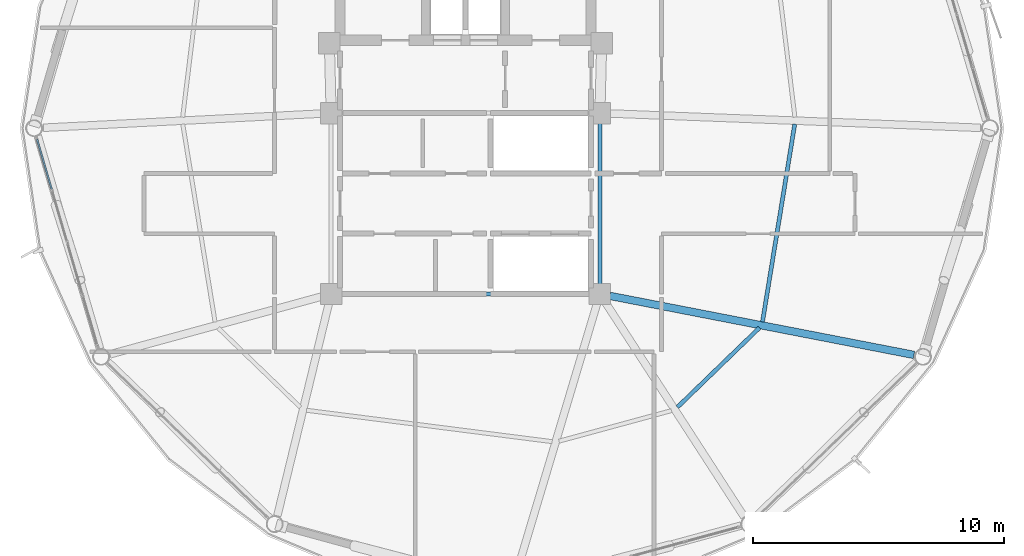
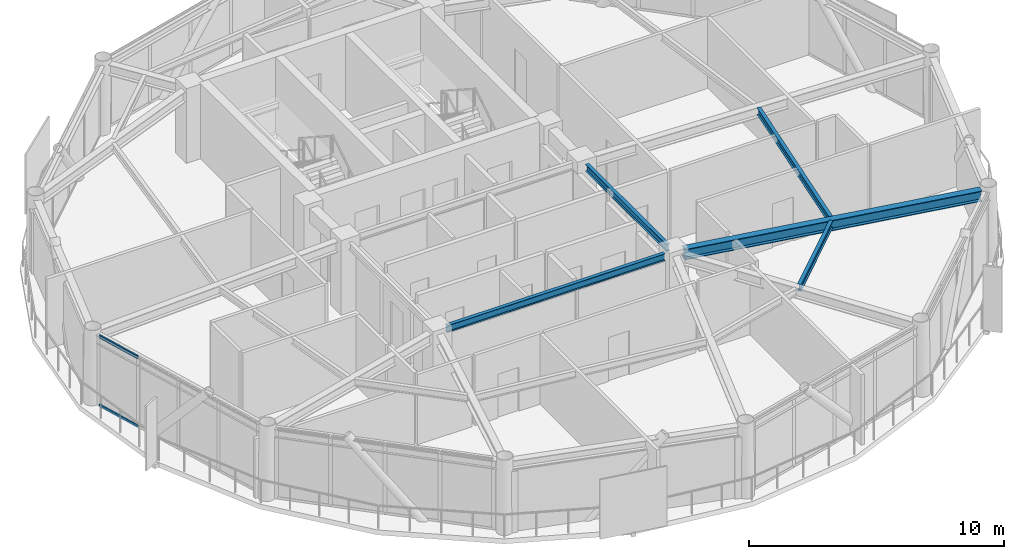
# One storey, part 9 of 26: 5 beams, 2 members, 1 element without a shape of its own.
"""IFC4 building model written with IfcOpenShell, lengths in metres."""

from ifc_helpers import new_model, si_unit, direction, frame, origin, origin_2d, place, context, subcontext, project, spatial, hollow_rectangle, i_section, extrude, material, layer, layer_set, material_profile, profile_set, type_object, element, aggregate, save


model = new_model("IFC4")

# Units and contexts
model_context = context("Model", 3, precision=1e-05, world=origin(), true_north=direction((0.0, 1.0)))
body_context = subcontext(model_context, "Body", "Model", "MODEL_VIEW")
ifc_project = project(units=[si_unit("LENGTHUNIT", "METRE"), si_unit("AREAUNIT", "SQUARE_METRE"), si_unit("VOLUMEUNIT", "CUBIC_METRE"), si_unit("PLANEANGLEUNIT", "RADIAN"), si_unit("MASSUNIT", "GRAM", prefix="KILO")], contexts=[model_context])

# Site, building, storey
site_placement = place(None, origin())
site = spatial("IfcSite", under=ifc_project, at=site_placement, CompositionType="ELEMENT")
building_placement = place(site_placement, origin())
building = spatial("IfcBuilding", under=site, at=building_placement, Name="Varnakorn Sky Granary", CompositionType="ELEMENT")
storey_placement = place(building_placement, frame((0.0, 0.0, 218.39990234375)))
storey = spatial("IfcBuildingStorey", under=building, at=storey_placement, Name="L55", CompositionType="ELEMENT", Elevation=218.39990234375)

# Beams
ifc_material_1 = material(Name="Steel S355JR", Category="steel")
ifc_material_profile_1 = material_profile(ifc_material_1, i_section(OverallWidth=0.300048828125, OverallDepth=0.5, WebThickness=0.014404296875, FlangeThickness=0.028076171875, at=origin_2d()), Name="HE 500 B")
ifc_profile_set_1 = profile_set([ifc_material_profile_1], Name="Steel S355JR")
beam_type_1 = type_object("IfcBeamType", Name="BM-RAD-Z4", PredefinedType="BEAM", material=ifc_profile_set_1)
beam_1_placement = place(storey_placement, frame((8.74755859375, -6.67724609375, 3.110107421875), z_axis=(0.981664203417, -0.190618445405, 0.0), x_axis=(0.190618445405, 0.981664203417, 0.0)))
element("IfcBeam", 1, at=beam_1_placement, inside=storey, type_object=beam_type_1, Name="Radial Floor Girder RG12 L55", PredefinedType="BEAM", context=body_context, shape_type="SweptSolid", body=[
    extrude(i_section(OverallWidth=0.300048828125, OverallDepth=0.5, WebThickness=0.014404296875, FlangeThickness=0.028076171875, at=origin_2d()), origin(), (0.0, 0.0, 1.0), 12.330078125),
])
ifc_material_profile_2 = material_profile(ifc_material_1, i_section(OverallWidth=0.159912109375, OverallDepth=0.330078125, WebThickness=0.007568359375, FlangeThickness=0.011474609375, at=origin_2d()), Name="IPE 330")
ifc_profile_set_2 = profile_set([ifc_material_profile_2], Name="Steel S355JR")
beam_type_2 = type_object("IfcBeamType", Name="BM-SEC-Z4", PredefinedType="BEAM", material=ifc_profile_set_2)
beam_2_placement = place(storey_placement, frame((11.43359375, -11.1103515625, 3.195068359375), z_axis=(0.718536320741, 0.695489436135, 0.0), x_axis=(-0.695489436135, 0.718536320741, 0.0)))
element("IfcBeam", 2, at=beam_2_placement, inside=storey, type_object=beam_type_2, Name="Secondary Floor Chord Beam MSB11 L55", PredefinedType="BEAM", context=body_context, shape_type="SweptSolid", body=[
    extrude(i_section(OverallWidth=0.159912109375, OverallDepth=0.330078125, WebThickness=0.007568359375, FlangeThickness=0.011474609375, at=origin_2d()), origin(), (0.0, 0.0, 1.0), 4.54443359375),
])
beam_3_placement = place(storey_placement, frame((14.822021484375, -7.714111328125, 3.195068359375), z_axis=(0.161048564139, 0.986946482839, 0.0), x_axis=(-0.986946482839, 0.161048564139, 0.0)))
element("IfcBeam", 3, at=beam_3_placement, inside=storey, type_object=beam_type_2, Name="Secondary Floor Chord Beam MSB12 L55", PredefinedType="BEAM", context=body_context, shape_type="SweptSolid", body=[
    extrude(i_section(OverallWidth=0.159912109375, OverallDepth=0.330078125, WebThickness=0.007568359375, FlangeThickness=0.011474609375, at=origin_2d()), origin(), (0.0, 0.0, 1.0), 7.978515625),
])
beam_4_placement = place(storey_placement, frame((8.35009765625, 0.195068359375, 3.195068359375), z_axis=(0.0, -1.0, 0.0), x_axis=(1.0, 0.0, 0.0)))
element("IfcBeam", 4, at=beam_4_placement, inside=storey, type_object=beam_type_2, Name="Core Spine Framing Beam 4 L55", PredefinedType="BEAM", context=body_context, shape_type="SweptSolid", body=[
    extrude(i_section(OverallWidth=0.159912109375, OverallDepth=0.330078125, WebThickness=0.007568359375, FlangeThickness=0.011474609375, at=origin_2d()), origin(), (0.0, 0.0, 1.0), 6.39013671875),
])
beam_5_placement = place(storey_placement, frame((-1.945068359375, -6.60009765625, 3.195068359375), z_axis=(1.0, 0.0, 0.0), x_axis=(0.0, 1.0, 0.0)))
element("IfcBeam", 5, at=beam_5_placement, inside=storey, type_object=beam_type_2, Name="Core Spine Framing Beam 6 L55", PredefinedType="BEAM", context=body_context, shape_type="SweptSolid", body=[
    extrude(i_section(OverallWidth=0.159912109375, OverallDepth=0.330078125, WebThickness=0.007568359375, FlangeThickness=0.011474609375, at=origin_2d()), origin(), (0.0, 0.0, 1.0), 9.89013671875),
])

# Curtain wall, members
ifc_material_2 = material(Name="Anodised Bronze Aluminium Alloy 6063-T6", Category="aluminium")
ifc_layer = layer(ifc_material_2, 0.169921875, Name="Anodised Bronze Aluminium Alloy 6063-T6")
ifc_layer_set = layer_set([ifc_layer], Name="Anodised Bronze Aluminium Alloy 6063-T6")
curtain_wall_type = type_object("IfcCurtainWallType", Name="CW-LAB-1", PredefinedType="USERDEFINED", material=ifc_layer_set)
curtain_wall_placement = place(storey_placement, origin())
curtain_wall = element("IfcCurtainWall", 6, at=curtain_wall_placement, inside=storey, type_object=curtain_wall_type, Name="Unitised Curtain Wall CW5 CW-L55-B07", ObjectType="CURTAIN WALL", PredefinedType="USERDEFINED")
ifc_material_profile_3 = material_profile(ifc_material_2, hollow_rectangle(XDim=0.070068359375, YDim=0.139892578125, WallThickness=0.00341796875, at=origin_2d()), Name="ALU TRAN 70x140")
ifc_profile_set_3 = profile_set([ifc_material_profile_3], Name="Anodised Bronze Aluminium Alloy 6063-T6")
member_type = type_object("IfcMemberType", Name="CW-LAB-1-TRAN", PredefinedType="USERDEFINED", material=ifc_profile_set_3)
member_1_placement = place(storey_placement, frame((-13.474365234375, -2.43212890625, 0.03515625), z_axis=(-0.281212642552, 0.959645481242, 0.0), x_axis=(-0.959645481242, -0.281212642552, 0.0)))
member_1 = element("IfcMember", 7, at=member_1_placement, type_object=member_type, Name="CW5 transom 4.1", ObjectType="TRANSOM", PredefinedType="USERDEFINED", context=body_context, shape_type="SweptSolid", body=[
    extrude(hollow_rectangle(XDim=0.070068359375, YDim=0.139892578125, WallThickness=0.00341796875, at=origin_2d()), origin(), (0.0, 0.0, 1.0), 2.079345703125),
])
member_2_placement = place(storey_placement, frame((-13.474365234375, -2.43212890625, 3.3251953125), z_axis=(-0.281212642552, 0.959645481242, 0.0), x_axis=(-0.959645481242, -0.281212642552, 0.0)))
member_2 = element("IfcMember", 8, at=member_2_placement, type_object=member_type, Name="CW5 transom 4.2", ObjectType="TRANSOM", PredefinedType="USERDEFINED", context=body_context, shape_type="SweptSolid", body=[
    extrude(hollow_rectangle(XDim=0.070068359375, YDim=0.139892578125, WallThickness=0.00341796875, at=origin_2d()), origin(), (0.0, 0.0, 1.0), 2.079345703125),
])
aggregate(curtain_wall, [member_1, member_2])

save(model, "model.ifc")
